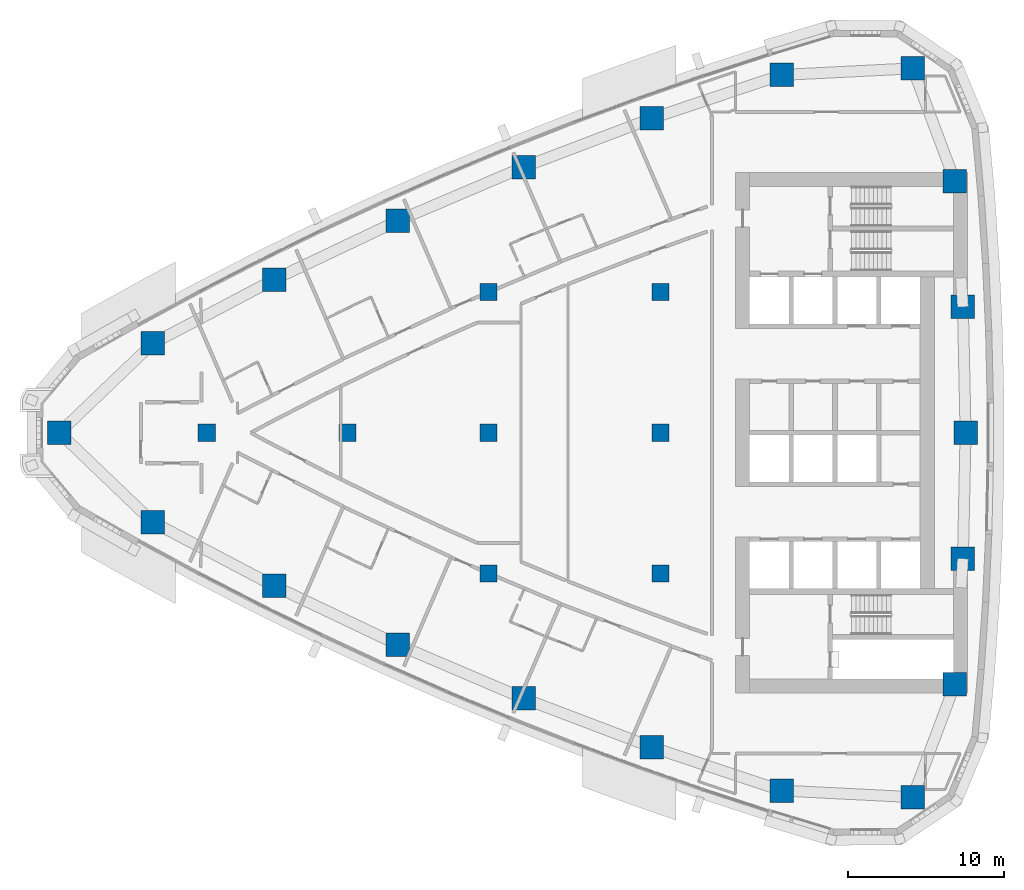
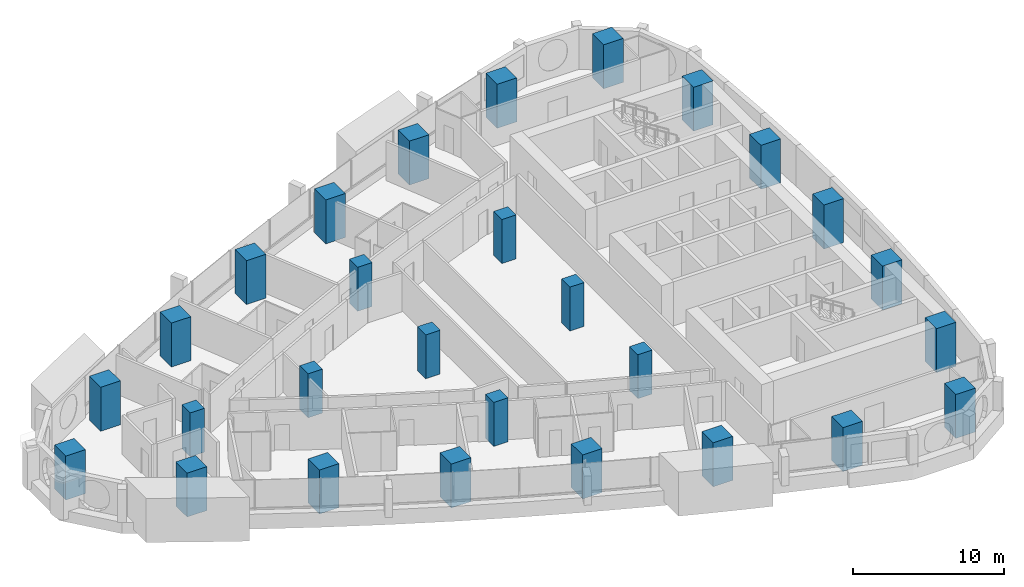
# One storey, part 1 of 17: 28 columns.
"""IFC4 building model written with IfcOpenShell, lengths in metres."""

from ifc_helpers import new_model, si_unit, direction, frame, origin, origin_2d, place, context, subcontext, project, spatial, rectangle, extrude, material, material_profile, profile_set, type_object, element, save


model = new_model("IFC4")

# Units and contexts
model_context = context("Model", 3, precision=1e-05, world=origin(), true_north=direction((0.0, 1.0)))
body_context = subcontext(model_context, "Body", "Model", "MODEL_VIEW")
ifc_project = project(units=[si_unit("LENGTHUNIT", "METRE"), si_unit("AREAUNIT", "SQUARE_METRE"), si_unit("VOLUMEUNIT", "CUBIC_METRE"), si_unit("PLANEANGLEUNIT", "RADIAN"), si_unit("MASSUNIT", "GRAM", prefix="KILO")], contexts=[model_context])

# Site, building, storey
site_placement = place(None, origin())
site = spatial("IfcSite", under=ifc_project, at=site_placement, CompositionType="ELEMENT")
building_placement = place(site_placement, origin())
building = spatial("IfcBuilding", under=site, at=building_placement, Name="Ostrand Prow Hotel Tower", CompositionType="ELEMENT")
storey_placement = place(building_placement, frame((0.0, 0.0, 162.14990234375)))
storey = spatial("IfcBuildingStorey", under=building, at=storey_placement, Name="L40", CompositionType="ELEMENT", Elevation=162.14990234375)

# Columns
ifc_material_1 = material(Name="Concrete C70/85", Category="concrete")
ifc_material_profile_1 = material_profile(ifc_material_1, rectangle(XDim=1.10009765625, YDim=1.10009765625, at=origin_2d()), Name="RC 1100x1100")
ifc_profile_set_1 = profile_set([ifc_material_profile_1], Name="Concrete C70/85")
column_type_1 = type_object("IfcColumnType", Name="Interior column 1100x1100 C70/85", PredefinedType="COLUMN", material=ifc_profile_set_1)
for number, where, z_axis, x_axis, name in (
    (1, (16.0, 0.0, 0.0), (0.0, 0.0, 1.0), (1.0, 0.0, 0.0), "Interior column 16C0"),
    (2, (25.0, 0.0, 0.0), (0.0, 0.0, 1.0), (1.0, 0.0, 0.0), "Interior column 25C0"),
    (3, (34.0, -9.0, 0.0), (0.0, 0.0, 1.0), (1.0, 0.0, 0.0), "Interior column 34S9"),
    (4, (34.0, 0.0, 0.0), (0.0, 0.0, 1.0), (1.0, 0.0, 0.0), "Interior column 34C0"),
    (5, (34.0, 9.0, 0.0), (0.0, 0.0, 1.0), (1.0, 0.0, 0.0), "Interior column 34N9"),
    (6, (45.0, -9.0, 0.0), (0.0, 0.0, 1.0), (1.0, 0.0, 0.0), "Interior column 45S9"),
    (7, (45.0, 0.0, 0.0), (0.0, 0.0, 1.0), (1.0, 0.0, 0.0), "Interior column 45C0"),
    (8, (45.0, 9.0, 0.0), (0.0, 0.0, 1.0), (1.0, 0.0, 0.0), "Interior column 45N9"),
):
    element("IfcColumn", number, at=place(storey_placement, frame(where, z_axis=z_axis, x_axis=x_axis)), inside=storey, type_object=column_type_1, Name=name, PredefinedType="COLUMN", context=body_context, shape_type="SweptSolid", body=[
        extrude(rectangle(XDim=1.10009765625, YDim=1.10009765625, at=origin_2d()), origin(), (0.0, 0.0, 1.0), 3.550048828125),
    ])
ifc_material_2 = material(Name="Concrete C70/85", Category="concrete")
ifc_material_profile_2 = material_profile(ifc_material_2, rectangle(XDim=1.5, YDim=1.5, at=origin_2d()), Name="RC 1500x1500")
ifc_profile_set_2 = profile_set([ifc_material_profile_2], Name="Concrete C70/85")
column_type_2 = type_object("IfcColumnType", Name="Stone-faced mega column 1500x1500 C70/85", PredefinedType="COLUMN", material=ifc_profile_set_2)
for number, where, z_axis, x_axis, name in (
    (9, (6.580078125, 0.0, 0.0), (0.0, 0.0, 1.0), (1.0, 0.0, 0.0), "Mega column P"),
    (10, (12.55322265625, -5.712646484375, 0.0), (0.0, 0.0, 1.0), (1.0, 0.0, 0.0), "Mega column S1"),
    (11, (20.300048828125, -9.787841796875, 0.0), (0.0, 0.0, 1.0), (1.0, 0.0, 0.0), "Mega column S2"),
    (12, (28.205078125, -13.547119140625, 0.0), (0.0, 0.0, 1.0), (1.0, 0.0, 0.0), "Mega column S3"),
    (13, (36.255615234375, -16.98388671875, 0.0), (0.0, 0.0, 1.0), (1.0, 0.0, 0.0), "Mega column S4"),
    (14, (44.438232421875, -20.093017578125, 0.0), (0.0, 0.0, 1.0), (1.0, 0.0, 0.0), "Mega column S5"),
    (15, (52.73974609375, -22.869140625, 0.0), (0.0, 0.0, 1.0), (1.0, 0.0, 0.0), "Mega column S6"),
    (16, (61.117431640625, -23.29052734375, 0.0), (0.0, 0.0, 1.0), (1.0, 0.0, 0.0), "Mega column SE"),
    (17, (63.818603515625, -16.074951171875, 0.0), (0.0, 0.0, 1.0), (1.0, 0.0, 0.0), "Mega column B1"),
    (18, (64.32958984375, -8.044677734375, 0.0), (0.0, 0.0, 1.0), (1.0, 0.0, 0.0), "Mega column B2"),
    (19, (64.5, 0.0, 0.0), (0.0, 0.0, 1.0), (1.0, 0.0, 0.0), "Mega column B3"),
    (20, (64.32958984375, 8.044677734375, 0.0), (0.0, 0.0, 1.0), (1.0, 0.0, 0.0), "Mega column B4"),
    (21, (63.818603515625, 16.074951171875, 0.0), (0.0, 0.0, 1.0), (1.0, 0.0, 0.0), "Mega column B5"),
    (22, (61.117431640625, 23.29052734375, 0.0), (0.0, 0.0, 1.0), (1.0, 0.0, 0.0), "Mega column NE"),
    (23, (52.73974609375, 22.869140625, 0.0), (0.0, 0.0, 1.0), (1.0, 0.0, 0.0), "Mega column N1"),
    (24, (44.438232421875, 20.093017578125, 0.0), (0.0, 0.0, 1.0), (1.0, 0.0, 0.0), "Mega column N2"),
    (25, (36.255615234375, 16.98388671875, 0.0), (0.0, 0.0, 1.0), (1.0, 0.0, 0.0), "Mega column N3"),
    (26, (28.205078125, 13.547119140625, 0.0), (0.0, 0.0, 1.0), (1.0, 0.0, 0.0), "Mega column N4"),
    (27, (20.300048828125, 9.787841796875, 0.0), (0.0, 0.0, 1.0), (1.0, 0.0, 0.0), "Mega column N5"),
    (28, (12.55322265625, 5.712646484375, 0.0), (0.0, 0.0, 1.0), (1.0, 0.0, 0.0), "Mega column N6"),
):
    element("IfcColumn", number, at=place(storey_placement, frame(where, z_axis=z_axis, x_axis=x_axis)), inside=storey, type_object=column_type_2, Name=name, PredefinedType="COLUMN", context=body_context, shape_type="SweptSolid", body=[
        extrude(rectangle(XDim=1.5, YDim=1.5, at=origin_2d()), origin(), (0.0, 0.0, 1.0), 3.550048828125),
    ])

save(model, "model.ifc")
